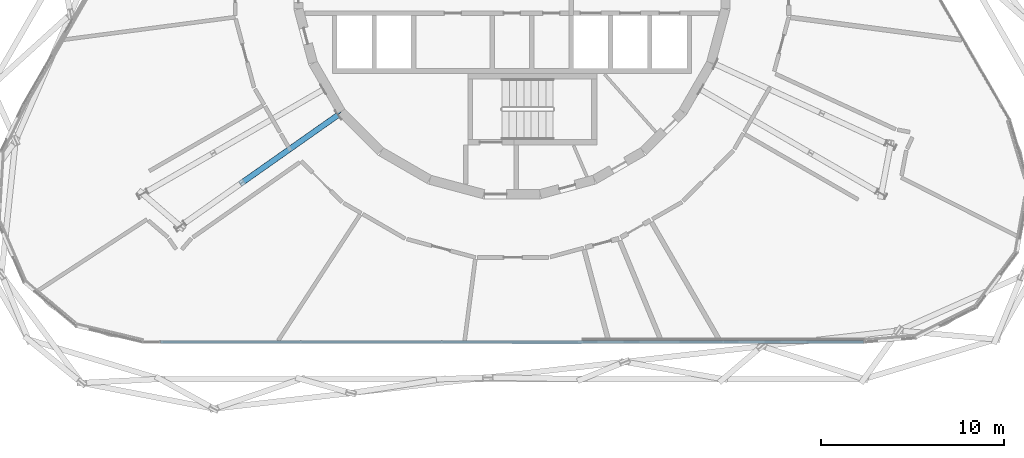
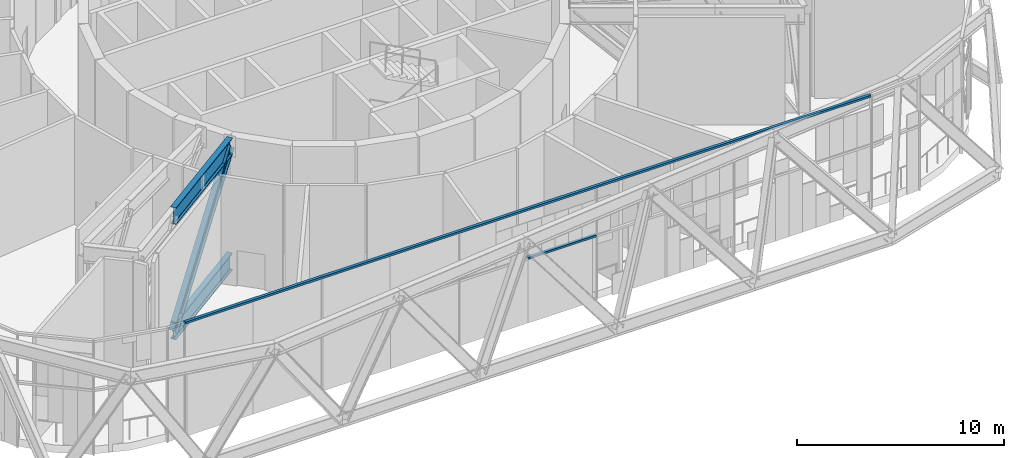
# One storey, part 3 of 29: 5 members, 1 element without a shape of its own.
"""IFC4 building model written with IfcOpenShell, lengths in metres."""

from ifc_helpers import new_model, si_unit, direction, frame, origin, origin_2d, place, context, subcontext, project, spatial, rectangle, i_section, extrude, material, layer, layer_set, material_profile, profile_set, type_object, element, aggregate, save


model = new_model("IFC4")

# Units and contexts
model_context = context("Model", 3, precision=1e-05, world=origin(), true_north=direction((0.0, 1.0)))
body_context = subcontext(model_context, "Body", "Model", "MODEL_VIEW")
ifc_project = project(units=[si_unit("LENGTHUNIT", "METRE"), si_unit("AREAUNIT", "SQUARE_METRE"), si_unit("VOLUMEUNIT", "CUBIC_METRE"), si_unit("PLANEANGLEUNIT", "RADIAN"), si_unit("MASSUNIT", "GRAM", prefix="KILO")], contexts=[model_context])

# Site, building, storey
site_placement = place(None, origin())
site = spatial("IfcSite", under=ifc_project, at=site_placement, CompositionType="ELEMENT")
building_placement = place(site_placement, origin())
building = spatial("IfcBuilding", under=site, at=building_placement, Name="Spindle Arch Residences", CompositionType="ELEMENT")
storey_placement = place(building_placement, frame((0.0, 0.0, 69.89990234375)))
storey = spatial("IfcBuildingStorey", under=building, at=storey_placement, Name="L16", CompositionType="ELEMENT", Elevation=69.89990234375)

# Curtain wall, members
ifc_material_1 = material(Name="Aluminium bronze unitised frame with tinted glass", Category="aluminium")
ifc_layer = layer(ifc_material_1, 0.159912109375)
ifc_layer_set = layer_set([ifc_layer], Name="CW-E double-height winter garden wall")
curtain_wall_type = type_object("IfcCurtainWallType", Name="CW-E double-height winter garden wall", PredefinedType="NOTDEFINED", material=ifc_layer_set)
curtain_wall_placement = place(storey_placement, origin())
curtain_wall = element("IfcCurtainWall", 1, at=curtain_wall_placement, inside=storey, type_object=curtain_wall_type, Name="CW-E L16 run 6", PredefinedType="NOTDEFINED")
ifc_material_2 = material(Name="Aluminium bronze anodised transom", Category="aluminium")
ifc_material_profile_1 = material_profile(ifc_material_2, rectangle(XDim=0.159912109375, YDim=0.1201171875, at=origin_2d()), Name="TR 120x160")
ifc_profile_set_1 = profile_set([ifc_material_profile_1], Name="Aluminium bronze anodised transom")
member_type_1 = type_object("IfcMemberType", Name="Bronze transom 120x160", PredefinedType="USERDEFINED", material=ifc_profile_set_1)
member_1_placement = place(storey_placement, frame((-19.170166015625, -19.7099609375, 6.2900390625), z_axis=(1.0, 0.0, 0.0), x_axis=(0.0, 1.0, 0.0)))
member_1 = element("IfcMember", 2, at=member_1_placement, type_object=member_type_1, Name="CW-E transom 00", ObjectType="TRANSOM", PredefinedType="USERDEFINED", context=body_context, shape_type="SweptSolid", body=[
    extrude(rectangle(XDim=0.159912109375, YDim=0.1201171875, at=origin_2d()), origin(), (0.0, 0.0, 1.0), 38.34033203125),
])
member_2_placement = place(storey_placement, frame((0.0, -19.7099609375, 3.400146484375), z_axis=(1.0, 0.0, 0.0), x_axis=(0.0, 1.0, 0.0)))
member_2 = element("IfcMember", 3, at=member_2_placement, type_object=member_type_1, Name="CW-E transom 23Bm", ObjectType="TRANSOM", PredefinedType="USERDEFINED", context=body_context, shape_type="SweptSolid", body=[
    extrude(rectangle(XDim=0.159912109375, YDim=0.1201171875, at=origin_2d()), origin(), (0.0, 0.0, 1.0), 3.81005859375),
])
aggregate(curtain_wall, [member_1, member_2])

# Members
ifc_material_3 = material(Name="Steel S460ML, intumescent coating R 240", Category="steel")
ifc_material_profile_2 = material_profile(ifc_material_3, i_section(OverallWidth=0.302001953125, OverallDepth=1.008056640625, WebThickness=0.02099609375, FlangeThickness=0.0400390625, FilletRadius=0.030029296875, at=origin_2d()), Name="HEM 1000")
ifc_profile_set_2 = profile_set([ifc_material_profile_2], Name="Steel S460ML, intumescent coating R 240")
member_type_2 = type_object("IfcMemberType", Name="Transfer truss chord HEM 1000", PredefinedType="CHORD", material=ifc_profile_set_2)
for number, where, z_axis, x_axis, name in (
    (4, (-9.492431640625, -7.332763671875, -0.953857421875), (-0.817662932994, -0.575697253779, 0.0), (0.575697253779, -0.817662932994, 0.0), "Transfer truss chord L16"),
    (5, (-9.492431640625, -7.332763671875, 5.84619140625), (-0.817662932994, -0.575697253779, 0.0), (0.575697253779, -0.817662932994, 0.0), "Transfer truss chord L16"),
):
    element("IfcMember", number, at=place(storey_placement, frame(where, z_axis=z_axis, x_axis=x_axis)), inside=storey, type_object=member_type_2, Name=name, PredefinedType="CHORD", context=body_context, shape_type="SweptSolid", body=[
        extrude(i_section(OverallWidth=0.302001953125, OverallDepth=1.008056640625, WebThickness=0.02099609375, FlangeThickness=0.0400390625, FilletRadius=0.030029296875, at=origin_2d()), origin(), (0.0, 0.0, 1.0), 6.526123046875),
    ])
ifc_material_4 = material(Name="Steel S460ML, intumescent coating R 240", Category="steel")
ifc_material_profile_3 = material_profile(ifc_material_4, i_section(OverallWidth=0.304931640625, OverallDepth=0.6201171875, WebThickness=0.02099609375, FlangeThickness=0.0400390625, FilletRadius=0.027099609375, at=origin_2d()), Name="HEM 600")
ifc_profile_set_3 = profile_set([ifc_material_profile_3], Name="Steel S460ML, intumescent coating R 240")
member_type_3 = type_object("IfcMemberType", Name="Transfer truss diagonal HEM 600", PredefinedType="BRACE", material=ifc_profile_set_3)
member_3_placement = place(storey_placement, frame((-14.82861328125, -11.08984375, -0.953857421875), z_axis=(0.566171447594, 0.398628009655, 0.721488462727), x_axis=(-0.575697253779, 0.817662932994, 0.0)))
element("IfcMember", 6, at=member_3_placement, inside=storey, type_object=member_type_3, Name="Transfer truss diagonal L16", PredefinedType="BRACE", context=body_context, shape_type="SweptSolid", body=[
    extrude(i_section(OverallWidth=0.304931640625, OverallDepth=0.6201171875, WebThickness=0.02099609375, FlangeThickness=0.0400390625, FilletRadius=0.027099609375, at=origin_2d()), origin(), (0.0, 0.0, 1.0), 9.425048828125),
])

save(model, "model.ifc")
